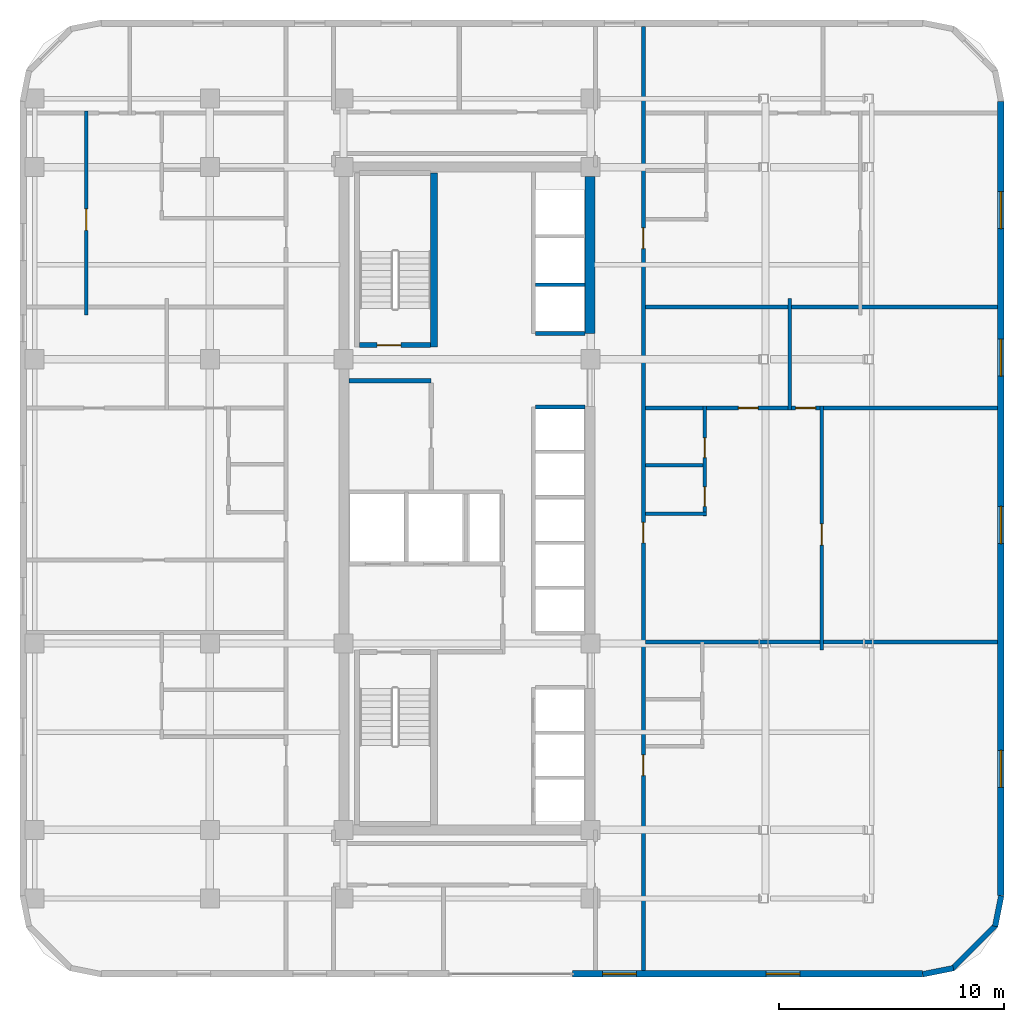
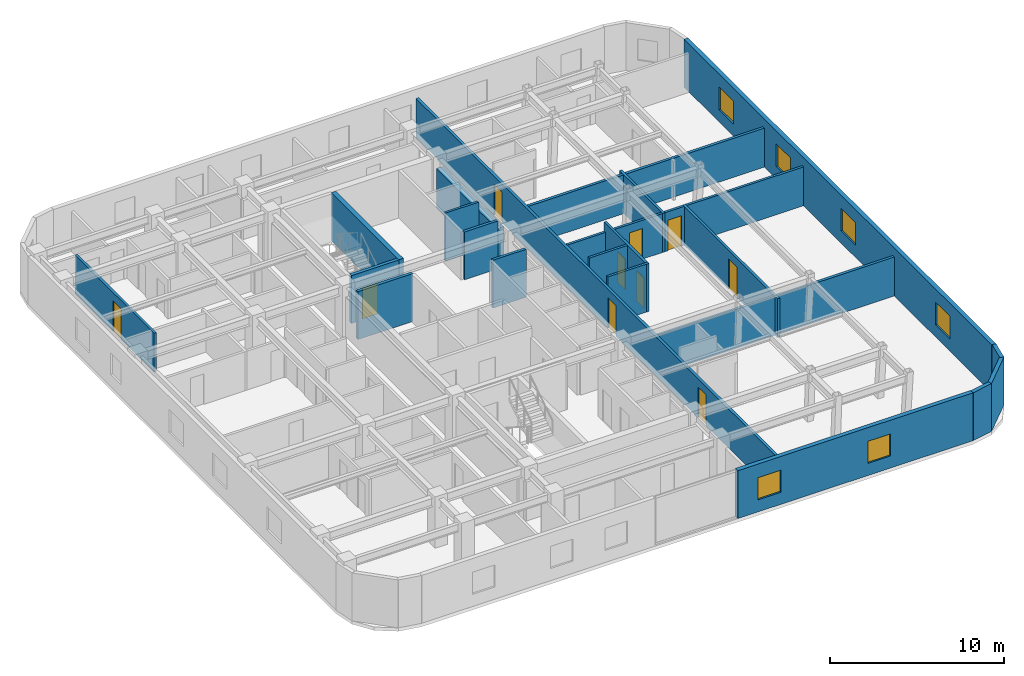
# One storey, part 6 of 9: 22 walls, 10 doors, 6 windows, 16 openings.
"""IFC4 building model written with IfcOpenShell, lengths in metres."""

from ifc_helpers import new_model, si_unit, direction, frame, frame_2d, origin, place, context, subcontext, project, spatial, rectangle, extrude, material, layer, layer_set, type_object, element, fill, save


model = new_model("IFC4")

# Units and contexts
model_context = context("Model", 3, precision=1e-05, world=origin(), true_north=direction((0.0, 1.0)))
body_context = subcontext(model_context, "Body", "Model", "MODEL_VIEW")
ifc_project = project(units=[si_unit("LENGTHUNIT", "METRE"), si_unit("AREAUNIT", "SQUARE_METRE"), si_unit("VOLUMEUNIT", "CUBIC_METRE"), si_unit("PLANEANGLEUNIT", "RADIAN"), si_unit("MASSUNIT", "GRAM", prefix="KILO")], contexts=[model_context])

# Site, building, storey
site_placement = place(None, origin())
site = spatial("IfcSite", under=ifc_project, at=site_placement, CompositionType="ELEMENT")
building_placement = place(site_placement, origin())
building = spatial("IfcBuilding", under=site, at=building_placement, Name="Ochreholt Gables", CompositionType="ELEMENT")
storey_placement = place(building_placement, frame((0.0, 0.0, 84.0)))
storey = spatial("IfcBuildingStorey", under=building, at=storey_placement, Name="L21", CompositionType="ELEMENT", Elevation=84.0)

# Wall
ifc_material_1 = material(Name="Concrete 60 MPa", Category="concrete")
ifc_layer_1 = layer(ifc_material_1, 0.449951171875, Name="Concrete 60 MPa")
ifc_layer_set_1 = layer_set([ifc_layer_1], Name="Concrete 60 MPa")
wall_type_1 = type_object("IfcWallType", Name="WALL-CSW-450", PredefinedType="SHEAR", material=ifc_layer_set_1)
wall_1_placement = place(storey_placement, frame((35.175048828125, 31.35009765625, 0.0), z_axis=(0.0, 0.0, 1.0), x_axis=(0.0, 1.0, 0.0)))
element("IfcWall", 1, at=wall_1_placement, inside=storey, type_object=wall_type_1, Name="L21 Core North-East Shear Wall", PredefinedType="SHEAR", context=body_context, shape_type="SweptSolid", body=[
    extrude(rectangle(XDim=6.974853515625, YDim=0.449951171875, at=frame_2d((3.4873046875, 0.0))), origin(), (0.0, 0.0, 1.0), 2.7490234375),
])

# Wall, openings, windows
ifc_material_2 = material(Name="Precast concrete 40 MPa", Category="concrete")
ifc_layer_2 = layer(ifc_material_2, 0.280029296875, Name="Precast concrete 40 MPa")
ifc_layer_set_2 = layer_set([ifc_layer_2], Name="Precast concrete 40 MPa")
wall_type_2 = type_object("IfcWallType", Name="WALL-EXT-280", PredefinedType="SOLIDWALL", material=ifc_layer_set_2)
wall_2_placement = place(storey_placement, frame((34.39990234375, 2.840087890625, 0.0), z_axis=(0.0, 0.0, 1.0), x_axis=(1.0, 0.0, 0.0)))
wall_2 = element("IfcWall", 2, at=wall_2_placement, inside=storey, type_object=wall_type_2, Name="L21 South Facade Wall 2", PredefinedType="SOLIDWALL", context=body_context, shape_type="SweptSolid", body=[
    extrude(rectangle(XDim=15.580078125, YDim=0.280029296875, at=frame_2d((7.7900390625, 0.0))), origin(), (0.0, 0.0, 1.0), 3.360107421875),
])
opening_1_placement = place(wall_2_placement, frame((1.3349609375, 0.0, 0.85009765625)))
opening_1 = element("IfcOpeningElement", 3, at=opening_1_placement, cuts=wall_2, Name="Opening WN-2", PredefinedType="OPENING", context=body_context, shape_type="SweptSolid", body=[
    extrude(rectangle(XDim=1.5, YDim=1.550048828125, at=frame_2d((0.75, 0.77490234375))), frame((0.0, 0.14990234375, 0.0), z_axis=(0.0, -1.0, 0.0), x_axis=(1.0, 0.0, 0.0)), (0.0, 0.0, 1.0), 0.300048828125),
])
opening_2_placement = place(wall_2_placement, frame((8.614990234375, 0.0, 0.85009765625)))
opening_2 = element("IfcOpeningElement", 4, at=opening_2_placement, cuts=wall_2, Name="Opening WN-2", PredefinedType="OPENING", context=body_context, shape_type="SweptSolid", body=[
    extrude(rectangle(XDim=1.5, YDim=1.550048828125, at=frame_2d((0.75, 0.77490234375))), frame((0.0, 0.14990234375, 0.0), z_axis=(0.0, -1.0, 0.0), x_axis=(1.0, 0.0, 0.0)), (0.0, 0.0, 1.0), 0.300048828125),
])
ifc_material_3 = material(Name="Triple-Glazed Thermally Broken Aluminium Window", Category="aluminium")
window_type_1 = type_object("IfcWindowType", Name="WIN-RES-1500", PartitioningType="SINGLE_PANEL", PredefinedType="WINDOW", material=ifc_material_3)
window_1_placement = place(opening_1_placement, origin())
window_1 = element("IfcWindow", 5, at=window_1_placement, inside=storey, type_object=window_type_1, Name="L21 Window W-EXT-S2-L21-1", OverallHeight=1.550048828125, OverallWidth=1.5, PartitioningType="SINGLE_PANEL", PredefinedType="WINDOW", context=body_context, shape_type="SweptSolid", body=[
    extrude(rectangle(XDim=1.5, YDim=1.550048828125, at=frame_2d((0.75, 0.77490234375))), frame((0.0, 0.030029296875, 0.0), z_axis=(0.0, -1.0, 0.0), x_axis=(1.0, 0.0, 0.0)), (0.0, 0.0, 1.0), 0.06005859375),
])
fill(opening_1, window_1)
window_2_placement = place(opening_2_placement, origin())
window_2 = element("IfcWindow", 6, at=window_2_placement, inside=storey, type_object=window_type_1, Name="L21 Window W-EXT-S2-L21-2", OverallHeight=1.550048828125, OverallWidth=1.5, PartitioningType="SINGLE_PANEL", PredefinedType="WINDOW", context=body_context, shape_type="SweptSolid", body=[
    extrude(rectangle(XDim=1.5, YDim=1.550048828125, at=frame_2d((0.75, 0.77490234375))), frame((0.0, 0.030029296875, 0.0), z_axis=(0.0, -1.0, 0.0), x_axis=(1.0, 0.0, 0.0)), (0.0, 0.0, 1.0), 0.06005859375),
])
fill(opening_2, window_2)

wall_3_placement = place(storey_placement, frame((53.4599609375, 6.320068359375, 0.0), z_axis=(0.0, 0.0, 1.0), x_axis=(0.0, 1.0, 0.0)))
wall_3 = element("IfcWall", 7, at=wall_3_placement, inside=storey, type_object=wall_type_2, Name="L21 East Exterior Wall", PredefinedType="SOLIDWALL", context=body_context, shape_type="SweptSolid", body=[
    extrude(rectangle(XDim=35.35986328125, YDim=0.280029296875, at=frame_2d((17.679931640625, 0.0))), origin(), (0.0, 0.0, 1.0), 3.360107421875),
])
opening_3_placement = place(wall_3_placement, frame((4.820068359375, 0.0, 0.85009765625)))
opening_3 = element("IfcOpeningElement", 8, at=opening_3_placement, cuts=wall_3, Name="Opening WN-7", PredefinedType="OPENING", context=body_context, shape_type="SweptSolid", body=[
    extrude(rectangle(XDim=1.64990234375, YDim=1.60009765625, at=frame_2d((0.824951171875, 0.800048828125))), frame((0.0, 0.14990234375, 0.0), z_axis=(0.0, -1.0, 0.0), x_axis=(1.0, 0.0, 0.0)), (0.0, 0.0, 1.0), 0.300048828125),
])
opening_4_placement = place(wall_3_placement, frame((15.675048828125, 0.0, 0.85009765625)))
opening_4 = element("IfcOpeningElement", 9, at=opening_4_placement, cuts=wall_3, Name="Opening WN-7", PredefinedType="OPENING", context=body_context, shape_type="SweptSolid", body=[
    extrude(rectangle(XDim=1.64990234375, YDim=1.60009765625, at=frame_2d((0.824951171875, 0.800048828125))), frame((0.0, 0.14990234375, 0.0), z_axis=(0.0, -1.0, 0.0), x_axis=(1.0, 0.0, 0.0)), (0.0, 0.0, 1.0), 0.300048828125),
])
opening_5_placement = place(wall_3_placement, frame((23.1298828125, 0.0, 0.85009765625)))
opening_5 = element("IfcOpeningElement", 10, at=opening_5_placement, cuts=wall_3, Name="Opening WN-7", PredefinedType="OPENING", context=body_context, shape_type="SweptSolid", body=[
    extrude(rectangle(XDim=1.64990234375, YDim=1.60009765625, at=frame_2d((0.824951171875, 0.800048828125))), frame((0.0, 0.14990234375, 0.0), z_axis=(0.0, -1.0, 0.0), x_axis=(1.0, 0.0, 0.0)), (0.0, 0.0, 1.0), 0.300048828125),
])
opening_6_placement = place(wall_3_placement, frame((29.695068359375, 0.0, 0.85009765625)))
opening_6 = element("IfcOpeningElement", 11, at=opening_6_placement, cuts=wall_3, Name="Opening WN-7", PredefinedType="OPENING", context=body_context, shape_type="SweptSolid", body=[
    extrude(rectangle(XDim=1.64990234375, YDim=1.60009765625, at=frame_2d((0.824951171875, 0.800048828125))), frame((0.0, 0.14990234375, 0.0), z_axis=(0.0, -1.0, 0.0), x_axis=(1.0, 0.0, 0.0)), (0.0, 0.0, 1.0), 0.300048828125),
])
window_type_2 = type_object("IfcWindowType", Name="WIN-RES-1650", PartitioningType="SINGLE_PANEL", PredefinedType="WINDOW", material=ifc_material_3)
window_3_placement = place(opening_3_placement, origin())
window_3 = element("IfcWindow", 12, at=window_3_placement, inside=storey, type_object=window_type_2, Name="L21 Window W-EXT-E-L21-1", OverallHeight=1.60009765625, OverallWidth=1.64990234375, PartitioningType="SINGLE_PANEL", PredefinedType="WINDOW", context=body_context, shape_type="SweptSolid", body=[
    extrude(rectangle(XDim=1.64990234375, YDim=1.60009765625, at=frame_2d((0.824951171875, 0.800048828125))), frame((0.0, 0.030029296875, 0.0), z_axis=(0.0, -1.0, 0.0), x_axis=(1.0, 0.0, 0.0)), (0.0, 0.0, 1.0), 0.06005859375),
])
fill(opening_3, window_3)
window_4_placement = place(opening_4_placement, origin())
window_4 = element("IfcWindow", 13, at=window_4_placement, inside=storey, type_object=window_type_2, Name="L21 Window W-EXT-E-L21-2", OverallHeight=1.60009765625, OverallWidth=1.64990234375, PartitioningType="SINGLE_PANEL", PredefinedType="WINDOW", context=body_context, shape_type="SweptSolid", body=[
    extrude(rectangle(XDim=1.64990234375, YDim=1.60009765625, at=frame_2d((0.824951171875, 0.800048828125))), frame((0.0, 0.030029296875, 0.0), z_axis=(0.0, -1.0, 0.0), x_axis=(1.0, 0.0, 0.0)), (0.0, 0.0, 1.0), 0.06005859375),
])
fill(opening_4, window_4)
window_5_placement = place(opening_5_placement, origin())
window_5 = element("IfcWindow", 14, at=window_5_placement, inside=storey, type_object=window_type_2, Name="L21 Window W-EXT-E-L21-3", OverallHeight=1.60009765625, OverallWidth=1.64990234375, PartitioningType="SINGLE_PANEL", PredefinedType="WINDOW", context=body_context, shape_type="SweptSolid", body=[
    extrude(rectangle(XDim=1.64990234375, YDim=1.60009765625, at=frame_2d((0.824951171875, 0.800048828125))), frame((0.0, 0.030029296875, 0.0), z_axis=(0.0, -1.0, 0.0), x_axis=(1.0, 0.0, 0.0)), (0.0, 0.0, 1.0), 0.06005859375),
])
fill(opening_5, window_5)
window_6_placement = place(opening_6_placement, origin())
window_6 = element("IfcWindow", 15, at=window_6_placement, inside=storey, type_object=window_type_2, Name="L21 Window W-EXT-E-L21-4", OverallHeight=1.60009765625, OverallWidth=1.64990234375, PartitioningType="SINGLE_PANEL", PredefinedType="WINDOW", context=body_context, shape_type="SweptSolid", body=[
    extrude(rectangle(XDim=1.64990234375, YDim=1.60009765625, at=frame_2d((0.824951171875, 0.800048828125))), frame((0.0, 0.030029296875, 0.0), z_axis=(0.0, -1.0, 0.0), x_axis=(1.0, 0.0, 0.0)), (0.0, 0.0, 1.0), 0.06005859375),
])
fill(opening_6, window_6)

# Walls
ifc_layer_3 = layer(ifc_material_2, 0.25, Name="Precast concrete 40 MPa")
ifc_layer_set_3 = layer_set([ifc_layer_3], Name="Precast concrete 40 MPa")
wall_type_3 = type_object("IfcWallType", Name="WALL-EXT-CNR", PredefinedType="SOLIDWALL", material=ifc_layer_set_3)
wall_4_placement = place(storey_placement, frame((49.9833984375, 2.82421875, 0.0), z_axis=(0.0, 0.0, 1.0), x_axis=(0.980809899341, 0.19496651342, 0.0)))
element("IfcWall", 16, at=wall_4_placement, inside=storey, type_object=wall_type_3, Name="L21 Rounded Corner Wall SE-1", PredefinedType="SOLIDWALL", context=body_context, shape_type="SweptSolid", body=[
    extrude(rectangle(XDim=1.388671875, YDim=0.25, at=frame_2d((0.6943359375, 0.0))), origin(), (0.0, 0.0, 1.0), 3.360107421875),
])
wall_5_placement = place(storey_placement, frame((51.294921875, 3.068115234375, 0.0), z_axis=(0.0, 0.0, 1.0), x_axis=(0.707151344399, 0.707062215165, 0.0)))
element("IfcWall", 17, at=wall_5_placement, inside=storey, type_object=wall_type_3, Name="L21 Rounded Corner Wall SE-2", PredefinedType="SOLIDWALL", context=body_context, shape_type="SweptSolid", body=[
    extrude(rectangle(XDim=2.7392578125, YDim=0.25, at=frame_2d((1.36962890625, 0.0))), origin(), (0.0, 0.0, 1.0), 3.360107421875),
])
wall_6_placement = place(storey_placement, frame((53.205078125, 4.95458984375, 0.0), z_axis=(0.0, 0.0, 1.0), x_axis=(0.195000137217, 0.980803214965, 0.0)))
element("IfcWall", 18, at=wall_6_placement, inside=storey, type_object=wall_type_3, Name="L21 Rounded Corner Wall SE-3", PredefinedType="SOLIDWALL", context=body_context, shape_type="SweptSolid", body=[
    extrude(rectangle(XDim=1.388427734375, YDim=0.25, at=frame_2d((0.6943359375, 0.0))), origin(), (0.0, 0.0, 1.0), 3.360107421875),
])
ifc_material_4 = material(Name="Concrete 40 MPa", Category="concrete")
ifc_layer_4 = layer(ifc_material_4, 0.199951171875, Name="Concrete 40 MPa")
ifc_layer_set_4 = layer_set([ifc_layer_4], Name="Concrete 40 MPa")
wall_type_4 = type_object("IfcWallType", Name="WALL-INT-CF200", PredefinedType="STANDARD", material=ifc_layer_set_4)
wall_7_placement = place(storey_placement, frame((24.449951171875, 29.239990234375, 0.0), z_axis=(0.0, 0.0, 1.0), x_axis=(1.0, 0.0, 0.0)))
element("IfcWall", 19, at=wall_7_placement, inside=storey, type_object=wall_type_4, Name="L21 Interior Wall WI-SRVN-L21", PredefinedType="STANDARD", context=body_context, shape_type="SweptSolid", body=[
    extrude(rectangle(XDim=3.650146484375, YDim=0.199951171875, at=frame_2d((1.8251953125, 0.0))), origin(), (0.0, 0.0, 1.0), 3.360107421875),
])

# Wall, openings, doors
ifc_material_5 = material(Name="Fire-Rated Gypsum Acoustic Partition", Category="gypsum")
ifc_layer_5 = layer(ifc_material_5, 0.179931640625, Name="Fire-Rated Gypsum Acoustic Partition")
ifc_layer_set_5 = layer_set([ifc_layer_5], Name="Fire-Rated Gypsum Acoustic Partition")
wall_type_5 = type_object("IfcWallType", Name="WALL-INT-CR180", PredefinedType="STANDARD", material=ifc_layer_set_5)
wall_8_placement = place(storey_placement, frame((37.550048828125, 2.97998046875, 0.0), z_axis=(0.0, 0.0, 1.0), x_axis=(0.0, 1.0, 0.0)))
wall_8 = element("IfcWall", 20, at=wall_8_placement, inside=storey, type_object=wall_type_5, Name="L21 Interior Wall WI-C1E-L21", PredefinedType="STANDARD", context=body_context, shape_type="SweptSolid", body=[
    extrude(rectangle(XDim=42.0400390625, YDim=0.179931640625, at=frame_2d((21.02001953125, 0.0))), origin(), (0.0, 0.0, 1.0), 2.73095703125),
])
opening_7_placement = place(wall_8_placement, frame((8.68994140625, 0.0, 0.0)))
opening_7 = element("IfcOpeningElement", 21, at=opening_7_placement, cuts=wall_8, Name="Opening D-UN1", PredefinedType="OPENING", context=body_context, shape_type="SweptSolid", body=[
    extrude(rectangle(XDim=0.919921875, YDim=2.14990234375, at=frame_2d((0.4599609375, 1.074951171875))), frame((0.0, 0.099853515625, 0.0), z_axis=(0.0, -1.0, 0.0), x_axis=(1.0, 0.0, 0.0)), (0.0, 0.0, 1.0), 0.199951171875),
])
opening_8_placement = place(wall_8_placement, frame((19.04296875, 0.0, 0.0)))
opening_8 = element("IfcOpeningElement", 22, at=opening_8_placement, cuts=wall_8, Name="Opening D-UN1", PredefinedType="OPENING", context=body_context, shape_type="SweptSolid", body=[
    extrude(rectangle(XDim=0.919921875, YDim=2.14990234375, at=frame_2d((0.4599609375, 1.074951171875))), frame((0.0, 0.099853515625, 0.0), z_axis=(0.0, -1.0, 0.0), x_axis=(1.0, 0.0, 0.0)), (0.0, 0.0, 1.0), 0.199951171875),
])
opening_9_placement = place(wall_8_placement, frame((32.14453125, 0.0, 0.0)))
opening_9 = element("IfcOpeningElement", 23, at=opening_9_placement, cuts=wall_8, Name="Opening D-UN1", PredefinedType="OPENING", context=body_context, shape_type="SweptSolid", body=[
    extrude(rectangle(XDim=0.919921875, YDim=2.14990234375, at=frame_2d((0.4599609375, 1.074951171875))), frame((0.0, 0.099853515625, 0.0), z_axis=(0.0, -1.0, 0.0), x_axis=(1.0, 0.0, 0.0)), (0.0, 0.0, 1.0), 0.199951171875),
])
ifc_material_6 = material(Name="Engineered Oak Timber", Category="wood")
door_type_1 = type_object("IfcDoorType", Name="DR-INT-UNT920", OperationType="NOTDEFINED", PredefinedType="DOOR", material=ifc_material_6)
door_1_placement = place(opening_7_placement, origin())
door_1 = element("IfcDoor", 24, at=door_1_placement, inside=storey, type_object=door_type_1, Name="L21 Door D-U-L21E1-ENT", OperationType="SINGLE_SWING_RIGHT", OverallHeight=2.14990234375, OverallWidth=0.919921875, PredefinedType="DOOR", context=body_context, shape_type="SweptSolid", body=[
    extrude(rectangle(XDim=0.919921875, YDim=2.14990234375, at=frame_2d((0.4599609375, 1.074951171875))), frame((0.0, 0.02490234375, 0.0), z_axis=(0.0, -1.0, 0.0), x_axis=(1.0, 0.0, 0.0)), (0.0, 0.0, 1.0), 0.050048828125),
])
fill(opening_7, door_1)
door_2_placement = place(opening_8_placement, origin())
door_2 = element("IfcDoor", 25, at=door_2_placement, inside=storey, type_object=door_type_1, Name="L21 Door D-U-L21E2-ENT", OperationType="SINGLE_SWING_LEFT", OverallHeight=2.14990234375, OverallWidth=0.919921875, PredefinedType="DOOR", context=body_context, shape_type="SweptSolid", body=[
    extrude(rectangle(XDim=0.919921875, YDim=2.14990234375, at=frame_2d((0.4599609375, 1.074951171875))), frame((0.0, 0.02490234375, 0.0), z_axis=(0.0, -1.0, 0.0), x_axis=(1.0, 0.0, 0.0)), (0.0, 0.0, 1.0), 0.050048828125),
])
fill(opening_8, door_2)
door_3_placement = place(opening_9_placement, origin())
door_3 = element("IfcDoor", 26, at=door_3_placement, inside=storey, type_object=door_type_1, Name="L21 Door D-U-L21E3-ENT", OperationType="SINGLE_SWING_RIGHT", OverallHeight=2.14990234375, OverallWidth=0.919921875, PredefinedType="DOOR", context=body_context, shape_type="SweptSolid", body=[
    extrude(rectangle(XDim=0.919921875, YDim=2.14990234375, at=frame_2d((0.4599609375, 1.074951171875))), frame((0.0, 0.02490234375, 0.0), z_axis=(0.0, -1.0, 0.0), x_axis=(1.0, 0.0, 0.0)), (0.0, 0.0, 1.0), 0.050048828125),
])
fill(opening_9, door_3)

# Walls
ifc_material_7 = material(Name="Double-Stud Acoustic Demising Wall", Category="gypsum")
ifc_layer_6 = layer(ifc_material_7, 0.179931640625, Name="Double-Stud Acoustic Demising Wall")
ifc_layer_set_6 = layer_set([ifc_layer_6], Name="Double-Stud Acoustic Demising Wall")
wall_type_6 = type_object("IfcWallType", Name="WALL-INT-DM180", PredefinedType="PARTITIONING", material=ifc_layer_set_6)
for number, where, z_axis, x_axis, name in (
    (27, (37.639892578125, 17.610107421875, 0.0), (0.0, 0.0, 1.0), (1.0, 0.0, 0.0), "L21 Interior Wall WI-UDE2-L21"),
    (28, (37.639892578125, 32.52001953125, 0.0), (0.0, 0.0, 1.0), (1.0, 0.0, 0.0), "L21 Interior Wall WI-UDE3-L21"),
):
    element("IfcWall", number, at=place(storey_placement, frame(where, z_axis=z_axis, x_axis=x_axis)), inside=storey, type_object=wall_type_6, Name=name, PredefinedType="PARTITIONING", context=body_context, shape_type="SweptSolid", body=[
        extrude(rectangle(XDim=15.68017578125, YDim=0.179931640625, at=frame_2d((7.840087890625, 0.0))), origin(), (0.0, 0.0, 1.0), 2.73095703125),
    ])
ifc_material_8 = material(Name="Moisture-Resistant Plumbing Chase Wall", Category="gypsum")
ifc_layer_7 = layer(ifc_material_8, 0.159912109375, Name="Moisture-Resistant Plumbing Chase Wall")
ifc_layer_set_7 = layer_set([ifc_layer_7], Name="Moisture-Resistant Plumbing Chase Wall")
wall_type_7 = type_object("IfcWallType", Name="WALL-INT-PL160", PredefinedType="PLUMBINGWALL", material=ifc_layer_set_7)
wall_9_placement = place(storey_placement, frame((37.639892578125, 23.322998046875, 0.0), z_axis=(0.0, 0.0, 1.0), x_axis=(1.0, 0.0, 0.0)))
element("IfcWall", 29, at=wall_9_placement, inside=storey, type_object=wall_type_7, Name="L21 Interior Wall WU-L21E2-FYS", PredefinedType="PLUMBINGWALL", context=body_context, shape_type="SweptSolid", body=[
    extrude(rectangle(XDim=2.712158203125, YDim=0.159912109375, at=frame_2d((1.35595703125, 0.0))), origin(), (0.0, 0.0, 1.0), 3.360107421875),
])

# Wall, openings, doors
wall_10_placement = place(storey_placement, frame((40.27197265625, 23.23291015625, 0.0), z_axis=(0.0, 0.0, 1.0), x_axis=(0.0, 1.0, 0.0)))
wall_10 = element("IfcWall", 30, at=wall_10_placement, inside=storey, type_object=wall_type_7, Name="L21 Interior Wall WU-L21E2-WX", PredefinedType="PLUMBINGWALL", context=body_context, shape_type="SweptSolid", body=[
    extrude(rectangle(XDim=4.88720703125, YDim=0.159912109375, at=frame_2d((2.443603515625, 0.0))), origin(), (0.0, 0.0, 1.0), 3.360107421875),
])
opening_10_placement = place(wall_10_placement, frame((0.419921875, 0.0, 0.0)))
opening_10 = element("IfcOpeningElement", 31, at=opening_10_placement, cuts=wall_10, Name="Opening D-BT1", PredefinedType="OPENING", context=body_context, shape_type="SweptSolid", body=[
    extrude(rectangle(XDim=0.860107421875, YDim=2.1201171875, at=frame_2d((0.43017578125, 1.06005859375))), frame((0.0, 0.08984375, 0.0), z_axis=(0.0, -1.0, 0.0), x_axis=(1.0, 0.0, 0.0)), (0.0, 0.0, 1.0), 0.179931640625),
])
opening_11_placement = place(wall_10_placement, frame((2.585205078125, 0.0, 0.0)))
opening_11 = element("IfcOpeningElement", 32, at=opening_11_placement, cuts=wall_10, Name="Opening D-GN2", PredefinedType="OPENING", context=body_context, shape_type="SweptSolid", body=[
    extrude(rectangle(XDim=0.8798828125, YDim=2.1201171875, at=frame_2d((0.43994140625, 1.06005859375))), frame((0.0, 0.08984375, 0.0), z_axis=(0.0, -1.0, 0.0), x_axis=(1.0, 0.0, 0.0)), (0.0, 0.0, 1.0), 0.179931640625),
])
door_type_2 = type_object("IfcDoorType", Name="DR-INT-BTH860", OperationType="NOTDEFINED", PredefinedType="DOOR", material=ifc_material_6)
door_4_placement = place(opening_10_placement, origin())
door_4 = element("IfcDoor", 33, at=door_4_placement, inside=storey, type_object=door_type_2, Name="L21 Door D-U-L21E2-BTH", OperationType="SINGLE_SWING_RIGHT", OverallHeight=2.1201171875, OverallWidth=0.860107421875, PredefinedType="DOOR", context=body_context, shape_type="SweptSolid", body=[
    extrude(rectangle(XDim=0.860107421875, YDim=2.1201171875, at=frame_2d((0.43017578125, 1.06005859375))), frame((0.0, 0.02490234375, 0.0), z_axis=(0.0, -1.0, 0.0), x_axis=(1.0, 0.0, 0.0)), (0.0, 0.0, 1.0), 0.050048828125),
])
fill(opening_10, door_4)
door_type_3 = type_object("IfcDoorType", Name="DR-INT-GEN880", OperationType="NOTDEFINED", PredefinedType="DOOR", material=ifc_material_6)
door_5_placement = place(opening_11_placement, origin())
door_5 = element("IfcDoor", 34, at=door_5_placement, inside=storey, type_object=door_type_3, Name="L21 Door D-U-L21E2-KIT", OperationType="SINGLE_SWING_LEFT", OverallHeight=2.1201171875, OverallWidth=0.8798828125, PredefinedType="DOOR", context=body_context, shape_type="SweptSolid", body=[
    extrude(rectangle(XDim=0.8798828125, YDim=2.1201171875, at=frame_2d((0.43994140625, 1.06005859375))), frame((0.0, 0.02490234375, 0.0), z_axis=(0.0, -1.0, 0.0), x_axis=(1.0, 0.0, 0.0)), (0.0, 0.0, 1.0), 0.050048828125),
])
fill(opening_11, door_5)

# Wall
wall_11_placement = place(storey_placement, frame((37.639892578125, 25.48828125, 0.0), z_axis=(0.0, 0.0, 1.0), x_axis=(1.0, 0.0, 0.0)))
element("IfcWall", 35, at=wall_11_placement, inside=storey, type_object=wall_type_7, Name="L21 Interior Wall WU-L21E2-WK", PredefinedType="PLUMBINGWALL", context=body_context, shape_type="SweptSolid", body=[
    extrude(rectangle(XDim=2.552001953125, YDim=0.159912109375, at=frame_2d((1.27587890625, 0.0))), origin(), (0.0, 0.0, 1.0), 3.360107421875),
])

# Wall, openings, doors
ifc_material_9 = material(Name="Gypsum Acoustic Stud Partition", Category="gypsum")
ifc_layer_8 = layer(ifc_material_9, 0.159912109375, Name="Gypsum Acoustic Stud Partition")
ifc_layer_set_8 = layer_set([ifc_layer_8], Name="Gypsum Acoustic Stud Partition")
wall_type_8 = type_object("IfcWallType", Name="WALL-INT-PT160", PredefinedType="PARTITIONING", material=ifc_layer_set_8)
wall_12_placement = place(storey_placement, frame((37.639892578125, 28.030029296875, 0.0), z_axis=(0.0, 0.0, 1.0), x_axis=(1.0, 0.0, 0.0)))
wall_12 = element("IfcWall", 36, at=wall_12_placement, inside=storey, type_object=wall_type_8, Name="L21 Interior Wall WU-L21E2-MN", PredefinedType="PARTITIONING", context=body_context, shape_type="SweptSolid", body=[
    extrude(rectangle(XDim=15.68017578125, YDim=0.159912109375, at=frame_2d((7.840087890625, 0.0))), origin(), (0.0, 0.0, 1.0), 2.73095703125),
])
opening_12_placement = place(wall_12_placement, frame((4.131103515625, 0.0, 0.0)))
opening_12 = element("IfcOpeningElement", 37, at=opening_12_placement, cuts=wall_12, Name="Opening D-BD2", PredefinedType="OPENING", context=body_context, shape_type="SweptSolid", body=[
    extrude(rectangle(XDim=0.8798828125, YDim=2.139892578125, at=frame_2d((0.43994140625, 1.06982421875))), frame((0.0, 0.08984375, 0.0), z_axis=(0.0, -1.0, 0.0), x_axis=(1.0, 0.0, 0.0)), (0.0, 0.0, 1.0), 0.179931640625),
])
opening_13_placement = place(wall_12_placement, frame((6.6904296875, 0.0, 0.0)))
opening_13 = element("IfcOpeningElement", 38, at=opening_13_placement, cuts=wall_12, Name="Opening D-BD2", PredefinedType="OPENING", context=body_context, shape_type="SweptSolid", body=[
    extrude(rectangle(XDim=0.8798828125, YDim=2.139892578125, at=frame_2d((0.43994140625, 1.06982421875))), frame((0.0, 0.08984375, 0.0), z_axis=(0.0, -1.0, 0.0), x_axis=(1.0, 0.0, 0.0)), (0.0, 0.0, 1.0), 0.179931640625),
])
door_type_4 = type_object("IfcDoorType", Name="DR-INT-BED880", OperationType="NOTDEFINED", PredefinedType="DOOR", material=ifc_material_6)
door_6_placement = place(opening_12_placement, origin())
door_6 = element("IfcDoor", 39, at=door_6_placement, inside=storey, type_object=door_type_4, Name="L21 Door D-U-L21E2-BD1", OperationType="SINGLE_SWING_LEFT", OverallHeight=2.139892578125, OverallWidth=0.8798828125, PredefinedType="DOOR", context=body_context, shape_type="SweptSolid", body=[
    extrude(rectangle(XDim=0.8798828125, YDim=2.139892578125, at=frame_2d((0.43994140625, 1.06982421875))), frame((0.0, 0.02490234375, 0.0), z_axis=(0.0, -1.0, 0.0), x_axis=(1.0, 0.0, 0.0)), (0.0, 0.0, 1.0), 0.050048828125),
])
fill(opening_12, door_6)
door_7_placement = place(opening_13_placement, origin())
door_7 = element("IfcDoor", 40, at=door_7_placement, inside=storey, type_object=door_type_4, Name="L21 Door D-U-L21E2-BD2", OperationType="SINGLE_SWING_RIGHT", OverallHeight=2.139892578125, OverallWidth=0.8798828125, PredefinedType="DOOR", context=body_context, shape_type="SweptSolid", body=[
    extrude(rectangle(XDim=0.8798828125, YDim=2.139892578125, at=frame_2d((0.43994140625, 1.06982421875))), frame((0.0, 0.02490234375, 0.0), z_axis=(0.0, -1.0, 0.0), x_axis=(1.0, 0.0, 0.0)), (0.0, 0.0, 1.0), 0.050048828125),
])
fill(opening_13, door_7)

# Wall, opening, door
wall_13_placement = place(storey_placement, frame((45.490478515625, 17.25, 0.0), z_axis=(0.0, 0.0, 1.0), x_axis=(0.0, 1.0, 0.0)))
wall_13 = element("IfcWall", 41, at=wall_13_placement, inside=storey, type_object=wall_type_8, Name="L21 Interior Wall WU-L21E2-DNV", PredefinedType="PARTITIONING", context=body_context, shape_type="SweptSolid", body=[
    extrude(rectangle(XDim=10.860107421875, YDim=0.159912109375, at=frame_2d((5.43017578125, 0.0))), origin(), (0.0, 0.0, 1.0), 2.73095703125),
])
opening_14_placement = place(wall_13_placement, frame((4.669921875, 0.0, 0.0)))
opening_14 = element("IfcOpeningElement", 42, at=opening_14_placement, cuts=wall_13, Name="Opening D-GN1", PredefinedType="OPENING", context=body_context, shape_type="SweptSolid", body=[
    extrude(rectangle(XDim=0.949951171875, YDim=2.14990234375, at=frame_2d((0.47509765625, 1.074951171875))), frame((0.0, 0.08984375, 0.0), z_axis=(0.0, -1.0, 0.0), x_axis=(1.0, 0.0, 0.0)), (0.0, 0.0, 1.0), 0.179931640625),
])
door_type_5 = type_object("IfcDoorType", Name="DR-INT-GEN950", OperationType="NOTDEFINED", PredefinedType="DOOR", material=ifc_material_6)
door_8_placement = place(opening_14_placement, origin())
door_8 = element("IfcDoor", 43, at=door_8_placement, inside=storey, type_object=door_type_5, Name="L21 Door D-U-L21E2-DIN", OperationType="SINGLE_SWING_RIGHT", OverallHeight=2.14990234375, OverallWidth=0.949951171875, PredefinedType="DOOR", context=body_context, shape_type="SweptSolid", body=[
    extrude(rectangle(XDim=0.949951171875, YDim=2.14990234375, at=frame_2d((0.47509765625, 1.074951171875))), frame((0.0, 0.02490234375, 0.0), z_axis=(0.0, -1.0, 0.0), x_axis=(1.0, 0.0, 0.0)), (0.0, 0.0, 1.0), 0.050048828125),
])
fill(opening_14, door_8)

# Wall
wall_14_placement = place(storey_placement, frame((44.060546875, 27.949951171875, 0.0), z_axis=(0.0, 0.0, 1.0), x_axis=(0.0, 1.0, 0.0)))
element("IfcWall", 44, at=wall_14_placement, inside=storey, type_object=wall_type_8, Name="L21 Interior Wall WU-L21E2-BSD", PredefinedType="PARTITIONING", context=body_context, shape_type="SweptSolid", body=[
    extrude(rectangle(XDim=4.9599609375, YDim=0.159912109375, at=frame_2d((2.47998046875, 0.0))), origin(), (0.0, 0.0, 1.0), 2.73095703125),
])

# Wall, opening, door
wall_15_placement = place(storey_placement, frame((12.75, 32.159912109375, 0.0), z_axis=(0.0, 0.0, 1.0), x_axis=(0.0, 1.0, 0.0)))
wall_15 = element("IfcWall", 45, at=wall_15_placement, inside=storey, type_object=wall_type_8, Name="L21 Interior Wall WU-L21W3-DNV", PredefinedType="PARTITIONING", context=body_context, shape_type="SweptSolid", body=[
    extrude(rectangle(XDim=9.080078125, YDim=0.159912109375, at=frame_2d((4.5400390625, 0.0))), origin(), (0.0, 0.0, 1.0), 2.73095703125),
])
opening_15_placement = place(wall_15_placement, frame((3.780029296875, 0.0, 0.0)))
opening_15 = element("IfcOpeningElement", 46, at=opening_15_placement, cuts=wall_15, Name="Opening D-GN1", PredefinedType="OPENING", context=body_context, shape_type="SweptSolid", body=[
    extrude(rectangle(XDim=0.949951171875, YDim=2.14990234375, at=frame_2d((0.47509765625, 1.074951171875))), frame((0.0, 0.08984375, 0.0), z_axis=(0.0, -1.0, 0.0), x_axis=(1.0, 0.0, 0.0)), (0.0, 0.0, 1.0), 0.179931640625),
])
door_9_placement = place(opening_15_placement, origin())
door_9 = element("IfcDoor", 47, at=door_9_placement, inside=storey, type_object=door_type_5, Name="L21 Door D-U-L21W3-DIN", OperationType="SINGLE_SWING_RIGHT", OverallHeight=2.14990234375, OverallWidth=0.949951171875, PredefinedType="DOOR", context=body_context, shape_type="SweptSolid", body=[
    extrude(rectangle(XDim=0.949951171875, YDim=2.14990234375, at=frame_2d((0.47509765625, 1.074951171875))), frame((0.0, 0.02490234375, 0.0), z_axis=(0.0, -1.0, 0.0), x_axis=(1.0, 0.0, 0.0)), (0.0, 0.0, 1.0), 0.050048828125),
])
fill(opening_15, door_9)

# Walls
ifc_material_10 = material(Name="Gypsum Shaftliner and Steel Stud", Category="steel")
ifc_layer_9 = layer(ifc_material_10, 0.14990234375, Name="Gypsum Shaftliner and Steel Stud")
ifc_layer_set_9 = layer_set([ifc_layer_9], Name="Gypsum Shaftliner and Steel Stud")
wall_type_9 = type_object("IfcWallType", Name="WALL-INT-SH150", PredefinedType="STANDARD", material=ifc_layer_set_9)
wall_16_placement = place(storey_placement, frame((32.739990234375, 33.52001953125, 0.0), z_axis=(0.0, 0.0, 1.0), x_axis=(1.0, 0.0, 0.0)))
element("IfcWall", 48, at=wall_16_placement, inside=storey, type_object=wall_type_9, Name="L21 Interior Wall WI-LFM-D1-L21", PredefinedType="STANDARD", context=body_context, shape_type="SweptSolid", body=[
    extrude(rectangle(XDim=2.2099609375, YDim=0.14990234375, at=frame_2d((1.10498046875, 0.0))), origin(), (0.0, 0.0, 1.0), 3.360107421875),
])
ifc_layer_10 = layer(ifc_material_10, 0.179931640625, Name="Gypsum Shaftliner and Steel Stud")
ifc_layer_set_10 = layer_set([ifc_layer_10], Name="Gypsum Shaftliner and Steel Stud")
wall_type_10 = type_object("IfcWallType", Name="WALL-INT-SH180", PredefinedType="STANDARD", material=ifc_layer_set_10)
for number, where, z_axis, x_axis, name in (
    (49, (32.739990234375, 28.080078125, 0.0), (0.0, 0.0, 1.0), (1.0, 0.0, 0.0), "L21 Interior Wall WI-LFHE-N-L21"),
    (50, (32.739990234375, 31.35009765625, 0.0), (0.0, 0.0, 1.0), (1.0, 0.0, 0.0), "L21 Interior Wall WI-LFM-S-L21"),
):
    element("IfcWall", number, at=place(storey_placement, frame(where, z_axis=z_axis, x_axis=x_axis)), inside=storey, type_object=wall_type_10, Name=name, PredefinedType="STANDARD", context=body_context, shape_type="SweptSolid", body=[
        extrude(rectangle(XDim=2.2099609375, YDim=0.179931640625, at=frame_2d((1.10498046875, 0.0))), origin(), (0.0, 0.0, 1.0), 3.360107421875),
    ])
ifc_layer_11 = layer(ifc_material_1, 0.300048828125, Name="Concrete 60 MPa")
ifc_layer_set_11 = layer_set([ifc_layer_11], Name="Concrete 60 MPa")
wall_type_11 = type_object("IfcWallType", Name="WALL-SPN-300", PredefinedType="SHEAR", material=ifc_layer_set_11)
wall_17_placement = place(storey_placement, frame((28.22998046875, 30.739990234375, 0.0), z_axis=(0.0, 0.0, 1.0), x_axis=(0.0, 1.0, 0.0)))
element("IfcWall", 51, at=wall_17_placement, inside=storey, type_object=wall_type_11, Name="L21 Core North Spine Shear Wall", PredefinedType="SHEAR", context=body_context, shape_type="SweptSolid", body=[
    extrude(rectangle(XDim=7.760009765625, YDim=0.300048828125, at=frame_2d((3.8798828125, 0.0))), origin(), (0.0, 0.0, 1.0), 3.360107421875),
])

# Wall, opening, door
ifc_material_11 = material(Name="Concrete 50 MPa", Category="concrete")
ifc_layer_12 = layer(ifc_material_11, 0.219970703125, Name="Concrete 50 MPa")
ifc_layer_set_12 = layer_set([ifc_layer_12], Name="Concrete 50 MPa")
wall_type_12 = type_object("IfcWallType", Name="WALL-STW-220", PredefinedType="SHEAR", material=ifc_layer_set_12)
wall_18_placement = place(storey_placement, frame((24.919921875, 30.830078125, 0.0), z_axis=(0.0, 0.0, 1.0), x_axis=(1.0, 0.0, 0.0)))
wall_18 = element("IfcWall", 52, at=wall_18_placement, inside=storey, type_object=wall_type_12, Name="L21 Exit Stair 2 South Wall", PredefinedType="SHEAR", context=body_context, shape_type="SweptSolid", body=[
    extrude(rectangle(XDim=3.16015625, YDim=0.219970703125, at=frame_2d((1.580078125, 0.0))), origin(), (0.0, 0.0, 1.0), 3.360107421875),
])
opening_16_placement = place(wall_18_placement, frame((0.780029296875, 0.0, 0.0)))
opening_16 = element("IfcOpeningElement", 53, at=opening_16_placement, cuts=wall_18, Name="Opening D-STC", PredefinedType="OPENING", context=body_context, shape_type="SweptSolid", body=[
    extrude(rectangle(XDim=1.050048828125, YDim=2.14990234375, at=frame_2d((0.52490234375, 1.074951171875))), frame((0.0, 0.119873046875, 0.0), z_axis=(0.0, -1.0, 0.0), x_axis=(1.0, 0.0, 0.0)), (0.0, 0.0, 1.0), 0.239990234375),
])
ifc_material_12 = material(Name="Hollow Metal Steel", Category="steel")
door_type_6 = type_object("IfcDoorType", Name="DR-INT-ST1050", OperationType="NOTDEFINED", PredefinedType="DOOR", material=ifc_material_12)
door_10_placement = place(opening_16_placement, origin())
door_10 = element("IfcDoor", 54, at=door_10_placement, inside=storey, type_object=door_type_6, Name="L21 Door D-ST2-L21", OperationType="SINGLE_SWING_RIGHT", OverallHeight=2.14990234375, OverallWidth=1.050048828125, PredefinedType="DOOR", context=body_context, shape_type="SweptSolid", body=[
    extrude(rectangle(XDim=1.050048828125, YDim=2.14990234375, at=frame_2d((0.52490234375, 1.074951171875))), frame((0.0, 0.02490234375, 0.0), z_axis=(0.0, -1.0, 0.0), x_axis=(1.0, 0.0, 0.0)), (0.0, 0.0, 1.0), 0.050048828125),
])
fill(opening_16, door_10)

save(model, "model.ifc")
